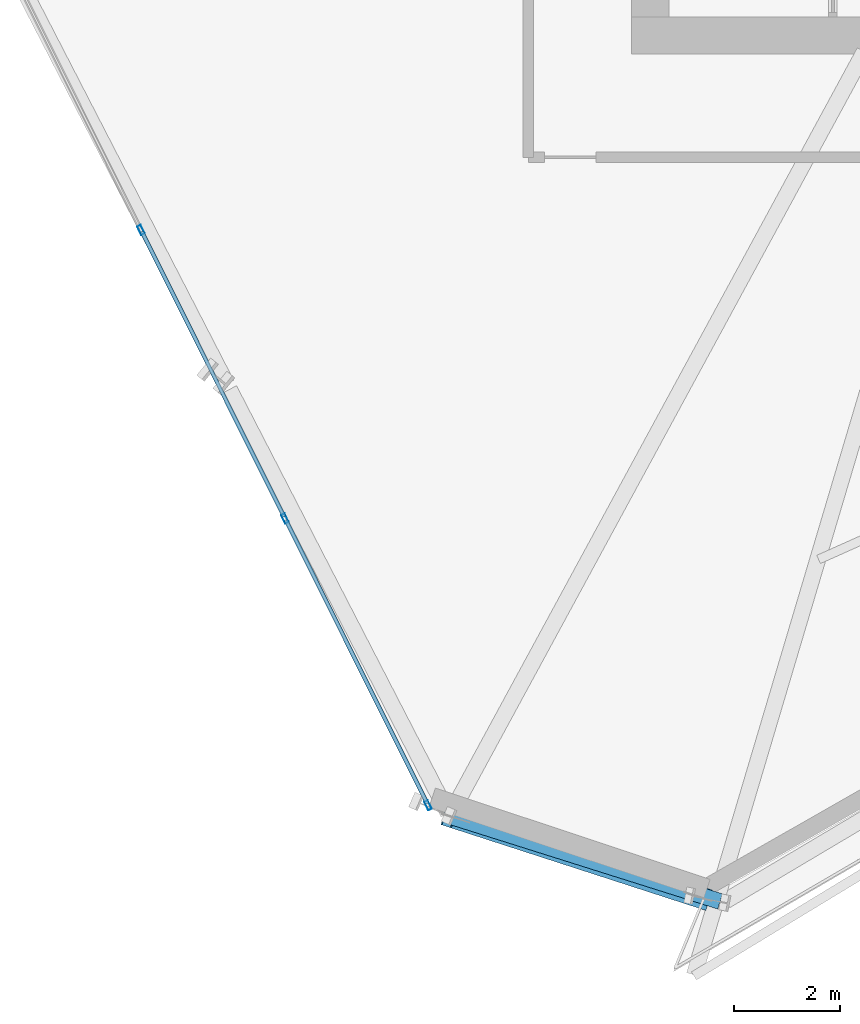
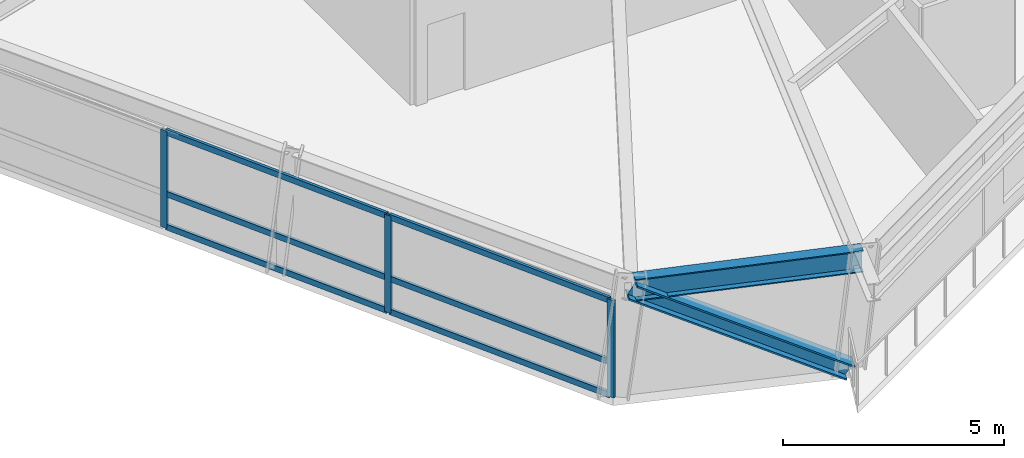
# One storey, part 2 of 20: 10 members, 1 beam, 1 element without a shape of its own.
"""IFC4 building model written with IfcOpenShell, lengths in metres."""

import ifcopenshell
import ifcopenshell.guid

model = None  # the IFC model being written
_history = None  # IfcOwnerHistory: only IFC2X3 demands one
_inside = {}  # id of a spatial element -> (the spatial element, [elements in it])
_under = {}  # id of a project, library or spatial element -> (it, [spatial elements below it])
_declared = {}  # id of a project -> (the project, [libraries it declares])
_typed = {}  # id of a type object -> (the type object, [elements of that type])
_made_of = {}  # id of a material, layer set ... -> (it, [elements and type objects made of it])


def new_model(schema):
    """Start an empty IFC model of exactly this schema.

    Asked for "IFC4X3", IfcOpenShell would pick the latest addendum, in which some entities
    have other attributes; the version numbers below select the first issue.
    IFC2X3 requires an IfcOwnerHistory on every rooted entity: one is made here for all.
    """
    global model, _history
    if schema == "IFC4X3":
        model = ifcopenshell.file(schema_version=(4, 3, 0, 0))
    else:
        model = ifcopenshell.file(schema=schema)
    _inside.clear()
    _under.clear()
    _declared.clear()
    _typed.clear()
    _made_of.clear()
    _history = None
    if model.schema == "IFC2X3":
        org = make("IfcOrganization", Name="unknown")
        user = make(
            "IfcPersonAndOrganization",
            ThePerson=make("IfcPerson", FamilyName="unknown"),
            TheOrganization=org,
        )
        app = make(
            "IfcApplication",
            ApplicationDeveloper=org,
            Version="unknown",
            ApplicationFullName="unknown",
            ApplicationIdentifier="unknown",
        )
        _history = make(
            "IfcOwnerHistory",
            OwningUser=user,
            OwningApplication=app,
            ChangeAction="ADDED",
            CreationDate=0,
        )
    return model


def make(cls, **values):
    """One entity of the class cls with the attributes given. An attribute that is None is left unset."""
    return model.create_entity(
        cls, **{name: value for name, value in values.items() if value is not None}
    )


def rooted(cls, **values):
    """An entity with a GlobalId (a new one), such as an element, a storey or a relation."""
    return make(cls, GlobalId=ifcopenshell.guid.new(), OwnerHistory=_history, **values)


def si_unit(unit_type, name, prefix=None):
    """IfcSIUnit, for example si_unit("LENGTHUNIT", "METRE", prefix="MILLI")."""
    return make("IfcSIUnit", UnitType=unit_type, Prefix=prefix, Name=name)


def assignment(units):
    """IfcUnitAssignment: the units of a project."""
    return None if units is None else make("IfcUnitAssignment", Units=units)


def point(xyz):
    """IfcCartesianPoint."""
    return None if xyz is None else make("IfcCartesianPoint", Coordinates=xyz)


def direction(xyz):
    """IfcDirection."""
    return None if xyz is None else make("IfcDirection", DirectionRatios=xyz)


def frame(location, z_axis=None, x_axis=None):
    """IfcAxis2Placement3D, a coordinate frame: its origin and axes. An axis left out is left unset."""
    return make(
        "IfcAxis2Placement3D",
        Location=point(location),
        Axis=direction(z_axis),
        RefDirection=direction(x_axis),
    )


def frame_2d(location, x_axis=None):
    """IfcAxis2Placement2D, a coordinate frame in the plane: its origin and x axis."""
    return make(
        "IfcAxis2Placement2D", Location=point(location), RefDirection=direction(x_axis)
    )


def origin():
    """The frame at (0, 0, 0) with its axes left unset."""
    return frame((0.0, 0.0, 0.0))


def origin_2d():
    """The frame at (0, 0) in the plane with its x axis left unset."""
    return frame_2d((0.0, 0.0))


def place(relative_to, where):
    """IfcLocalPlacement: puts the frame where relative to a parent placement (None: the world)."""
    return make(
        "IfcLocalPlacement", PlacementRelTo=relative_to, RelativePlacement=where
    )


def context(
    kind, dimensions, precision=None, world=None, true_north=None, identifier=None
):
    """IfcGeometricRepresentationContext, for example the 3D "Model" context."""
    return make(
        "IfcGeometricRepresentationContext",
        ContextIdentifier=identifier,
        ContextType=kind,
        CoordinateSpaceDimension=dimensions,
        Precision=precision,
        WorldCoordinateSystem=world,
        TrueNorth=true_north,
    )


def subcontext(parent, identifier, kind, view, scale=None):
    """IfcGeometricRepresentationSubContext, for example "Body" below "Model"."""
    return make(
        "IfcGeometricRepresentationSubContext",
        ContextIdentifier=identifier,
        ContextType=kind,
        ParentContext=parent,
        TargetScale=scale,
        TargetView=view,
    )


def project(units=None, contexts=None):
    """IfcProject with its units and contexts."""
    return rooted(
        "IfcProject",
        Name="project",
        RepresentationContexts=contexts,
        UnitsInContext=assignment(units),
    )


def spatial(cls, under=None, at=None, **own):
    """A site, building, storey or space (cls), placed at a placement, below another one or the project."""
    s = rooted(cls, ObjectPlacement=at, **own)
    if under is not None:
        _under.setdefault(under.id(), (under, []))[1].append(s)
    return s


def profile(cls, at=None, kind="AREA", **sizes):
    """A parametric profile (cls). Its sizes go by their IFC names, for example OverallWidth=200.0."""
    return make(cls, ProfileType=kind, Position=at, **sizes)


def hollow_rectangle(**sizes):
    """IfcRectangleHollowProfileDef."""
    return profile("IfcRectangleHollowProfileDef", **sizes)


def i_section(**sizes):
    """IfcIShapeProfileDef."""
    return profile("IfcIShapeProfileDef", **sizes)


def extrude(swept, where, along, depth):
    """IfcExtrudedAreaSolid: the profile swept, set in the frame where, extruded along a direction by depth."""
    return make(
        "IfcExtrudedAreaSolid",
        SweptArea=swept,
        Position=where,
        ExtrudedDirection=direction(along),
        Depth=depth,
    )


def shape(context_of_items, identifier, shape_type, items):
    """IfcShapeRepresentation: the items that make up one representation, for example the "Body"."""
    return make(
        "IfcShapeRepresentation",
        ContextOfItems=context_of_items,
        RepresentationIdentifier=identifier,
        RepresentationType=shape_type,
        Items=items,
    )


def source(mapping_origin, context_of_items, identifier, shape_type, items):
    """IfcRepresentationMap: a shape defined once, which mapped items show again and again."""
    return make(
        "IfcRepresentationMap",
        MappingOrigin=mapping_origin,
        MappedRepresentation=shape(context_of_items, identifier, shape_type, items),
    )


def transform(
    local_origin,
    x_axis=None,
    y_axis=None,
    z_axis=None,
    scale=None,
    scale2=None,
    scale3=None,
    uniform=True,
):
    """IfcCartesianTransformationOperator3D, or its non-uniform kind. x_axis, y_axis, z_axis: its Axis1, 2, 3."""
    if uniform:
        return make(
            "IfcCartesianTransformationOperator3D",
            Axis1=direction(x_axis),
            Axis2=direction(y_axis),
            LocalOrigin=point(local_origin),
            Scale=scale,
            Axis3=direction(z_axis),
        )
    return make(
        "IfcCartesianTransformationOperator3DnonUniform",
        Axis1=direction(x_axis),
        Axis2=direction(y_axis),
        LocalOrigin=point(local_origin),
        Scale=scale,
        Axis3=direction(z_axis),
        Scale2=scale2,
        Scale3=scale3,
    )


def mapped(mapping_source, mapping_target):
    """IfcMappedItem: shows the shape of a source again, moved by a transform."""
    return make(
        "IfcMappedItem", MappingSource=mapping_source, MappingTarget=mapping_target
    )


def material(Name=None, Category=None):
    """IfcMaterial."""
    return make("IfcMaterial", Name=Name, Category=Category)


def material_profile(
    of_material, cross_section, Name=None, Category=None, Priority=None
):
    """IfcMaterialProfile: a cross section and its material."""
    return make(
        "IfcMaterialProfile",
        Name=Name,
        Material=of_material,
        Profile=cross_section,
        Priority=Priority,
        Category=Category,
    )


def profile_set(profiles, Name=None, composite=None):
    """IfcMaterialProfileSet."""
    return make(
        "IfcMaterialProfileSet",
        Name=Name,
        MaterialProfiles=profiles,
        CompositeProfile=composite,
    )


def made_of(thing, what):
    """Note that an element or type object is made of a material, layer set ...; save() writes the relation."""
    if what is not None:
        _made_of.setdefault(what.id(), (what, []))[1].append(thing)
    return thing


def type_object(cls, material=None, **own):
    """A type object (cls), such as IfcWallType, which elements share."""
    return made_of(rooted(cls, **own), material)


def element(
    cls,
    number,
    at=None,
    inside=None,
    cuts=None,
    type_object=None,
    material=None,
    context=None,
    identifier="Body",
    shape_type=None,
    held_by="IfcProductDefinitionShape",
    body=None,
    shapes=None,
    **own,
):
    """One element of the class cls, such as IfcWall. Its Tag is "e" and its number.

    at: its placement. inside: the storey or other place that contains it. cuts: it is an
    opening in that element (IfcRelVoidsElement). A single representation is given by context,
    identifier, shape_type and body (its items); several are given by shapes. held_by: the class
    of the entity that holds the representations. save() writes the other relations.
    """
    e = rooted(cls, Tag="e%d" % number, ObjectPlacement=at, **own)
    if body is not None:
        shapes = [shape(context, identifier, shape_type, body)]
    if shapes is not None:
        e.Representation = make(held_by, Representations=shapes)
    if inside is not None:
        _inside.setdefault(inside.id(), (inside, []))[1].append(e)
    if cuts is not None:
        rooted(
            "IfcRelVoidsElement", RelatingBuildingElement=cuts, RelatedOpeningElement=e
        )
    if type_object is not None:
        _typed.setdefault(type_object.id(), (type_object, []))[1].append(e)
    return made_of(e, material)


def aggregate(whole, parts):
    """IfcRelAggregates: a whole, such as a stair, and the parts it consists of."""
    return rooted("IfcRelAggregates", RelatingObject=whole, RelatedObjects=parts)


def save(model, path):
    """Write the relations noted so far, then the file.

    IfcRelAggregates (storeys below a building ...), IfcRelContainedInSpatialStructure (elements
    in a storey), IfcRelDefinesByType, IfcRelAssociatesMaterial and IfcRelDeclares: one each for
    every whole, place, type object, material and project.
    """
    for whole, parts in _under.values():
        aggregate(whole, parts)
    for where, things in _inside.values():
        rooted(
            "IfcRelContainedInSpatialStructure",
            RelatedElements=things,
            RelatingStructure=where,
        )
    for kind, things in _typed.values():
        rooted("IfcRelDefinesByType", RelatedObjects=things, RelatingType=kind)
    for what, things in _made_of.values():
        rooted("IfcRelAssociatesMaterial", RelatedObjects=things, RelatingMaterial=what)
    for by, libraries in _declared.values():
        rooted("IfcRelDeclares", RelatingContext=by, RelatedDefinitions=libraries)
    model.write(path)


model = new_model("IFC4")

# Units and contexts
model_context = context("Model", 3, precision=1e-05, world=origin(), true_north=direction((0.0, 1.0)))
body_context = subcontext(model_context, "Body", "Model", "MODEL_VIEW")
ifc_project = project(units=[si_unit("LENGTHUNIT", "METRE"), si_unit("AREAUNIT", "SQUARE_METRE"), si_unit("VOLUMEUNIT", "CUBIC_METRE"), si_unit("PLANEANGLEUNIT", "RADIAN"), si_unit("MASSUNIT", "GRAM", prefix="KILO")], contexts=[model_context])

# Site, building, storey
site_placement = place(None, origin())
site = spatial("IfcSite", under=ifc_project, at=site_placement, CompositionType="ELEMENT")
building_placement = place(site_placement, origin())
building = spatial("IfcBuilding", under=site, at=building_placement, Name="Olszyna Solenne Hotel", CompositionType="ELEMENT")
storey_placement = place(building_placement, frame((0.0, 0.0, 98.60009765625)))
storey = spatial("IfcBuildingStorey", under=building, at=storey_placement, Name="L25", CompositionType="ELEMENT", Elevation=98.60009765625)

# Beam
ifc_material_1 = material(Name="Steel S355J2", Category="steel")
ifc_material_profile_1 = material_profile(ifc_material_1, i_section(OverallWidth=0.300048828125, OverallDepth=0.60009765625, WebThickness=0.015380859375, FlangeThickness=0.030029296875, at=origin_2d()), Name="HEB 600", Category="load-bearing")
ifc_profile_set_1 = profile_set([ifc_material_profile_1], Name="Steel S355J2")
beam_type = type_object("IfcBeamType", Name="BM-S2", PredefinedType="BEAM", material=ifc_profile_set_1)
shared_shape_1 = source(origin(), body_context, "Body", "SweptSolid", [
    extrude(i_section(OverallWidth=0.300048828125, OverallDepth=0.60009765625, WebThickness=0.015380859375, FlangeThickness=0.030029296875, at=origin_2d()), origin(), (0.0, 0.0, 1.0), 5.296142578125),
])
beam_placement = place(storey_placement, frame((26.01806640625, 4.395751953125, 3.0), z_axis=(0.953706594082, -0.30073864468, 0.0), x_axis=(0.30073864468, 0.953706594082, 0.0)))
element("IfcBeam", 1, at=beam_placement, inside=storey, type_object=beam_type, Name="Perimeter spandrel beam BM-S2 B-L25-0758", PredefinedType="BEAM", context=body_context, shape_type="MappedRepresentation", body=[
    mapped(shared_shape_1, transform((0.0, 0.0, 0.0), x_axis=(1.0, 0.0, 0.0), y_axis=(0.0, 1.0, 0.0), z_axis=(0.0, 0.0, 1.0), scale=1.0)),
])

# Member
ifc_material_2 = material(Name="Steel S460M", Category="steel")
ifc_material_profile_2 = material_profile(ifc_material_2, i_section(OverallWidth=0.406005859375, OverallDepth=0.416015625, WebThickness=0.026611328125, FlangeThickness=0.04150390625, at=origin_2d()), Name="HD 400x382", Category="load-bearing")
ifc_profile_set_2 = profile_set([ifc_material_profile_2], Name="Steel S460M")
member_type_1 = type_object("IfcMemberType", Name="BR-T2", PredefinedType="BRACE", material=ifc_profile_set_2)
shared_shape_2 = source(origin(), body_context, "Body", "SweptSolid", [
    extrude(i_section(OverallWidth=0.406005859375, OverallDepth=0.416015625, WebThickness=0.026611328125, FlangeThickness=0.04150390625, at=origin_2d()), origin(), (0.0, 0.0, 1.0), 5.850830078125),
])
member_1_placement = place(storey_placement, frame((30.76171875, 2.858154296875, 0.010009765625), z_axis=(-0.820582554442, 0.265891280798, 0.505911156372), x_axis=(-0.308249156446, -0.951305659371, 0.0)))
element("IfcMember", 2, at=member_1_placement, inside=storey, type_object=member_type_1, Name="Perimeter braced-tube diagonal BR-T2 BR-L25-3", PredefinedType="BRACE", context=body_context, shape_type="MappedRepresentation", body=[
    mapped(shared_shape_2, transform((0.0, 0.0, 0.0), x_axis=(1.0, 0.0, 0.0), y_axis=(0.0, 1.0, 0.0), z_axis=(0.0, 0.0, 1.0), scale=1.0)),
])

# Curtain wall, members
ifc_material_3 = material(Name="Anodised bronze aluminium", Category="aluminium")
curtain_wall_type = type_object("IfcCurtainWallType", Name="CW-SYS-3", PredefinedType="NOTDEFINED", material=ifc_material_3)
curtain_wall_placement = place(storey_placement, origin())
curtain_wall = element("IfcCurtainWall", 3, at=curtain_wall_placement, inside=storey, type_object=curtain_wall_type, Name="Unitised curtain wall CW-SYS-3 CW-L25-01", PredefinedType="NOTDEFINED")
ifc_material_profile_3 = material_profile(ifc_material_3, hollow_rectangle(XDim=0.074951171875, YDim=0.179931640625, WallThickness=0.00439453125, at=origin_2d()), Name="MULL 180x75x4.5", Category="load-bearing")
ifc_profile_set_3 = profile_set([ifc_material_profile_3], Name="Anodised bronze aluminium")
member_type_2 = type_object("IfcMemberType", Name="CW-M2", PredefinedType="MULLION", material=ifc_profile_set_3)
shared_shape_3 = source(origin(), body_context, "Body", "SweptSolid", [
    extrude(hollow_rectangle(XDim=0.074951171875, YDim=0.179931640625, WallThickness=0.00439453125, at=origin_2d()), origin(), (0.0, 0.0, 1.0), 2.69189453125),
])
member_2_placement = place(storey_placement, frame((20.137939453125, 15.478759765625, 0.0), z_axis=(0.0, 0.0, 1.0), x_axis=(0.894800294413, 0.446466609186, 0.0)))
member_2 = element("IfcMember", 4, at=member_2_placement, type_object=member_type_2, Name="Curtain-wall mullion CW-M2 CM-L25-01-02", PredefinedType="MULLION", context=body_context, shape_type="MappedRepresentation", body=[
    mapped(shared_shape_3, transform((0.0, 0.0, 0.0), x_axis=(1.0, 0.0, 0.0), y_axis=(0.0, 1.0, 0.0), z_axis=(0.0, 0.0, 1.0), scale=1.0)),
])
member_3_placement = place(storey_placement, frame((22.85595703125, 10.03125, 0.0), z_axis=(0.0, 0.0, 1.0), x_axis=(0.894800294413, 0.446466609186, 0.0)))
member_3 = element("IfcMember", 5, at=member_3_placement, type_object=member_type_2, Name="Curtain-wall mullion CW-M2 CM-L25-01-03", PredefinedType="MULLION", context=body_context, shape_type="MappedRepresentation", body=[
    mapped(shared_shape_3, transform((0.0, 0.0, 0.0), x_axis=(1.0, 0.0, 0.0), y_axis=(0.0, 1.0, 0.0), z_axis=(0.0, 0.0, 1.0), scale=1.0)),
])
member_4_placement = place(storey_placement, frame((25.557373046875, 4.617431640625, 0.0), z_axis=(0.0, 0.0, 1.0), x_axis=(0.894800294413, 0.446466609186, 0.0)))
member_4 = element("IfcMember", 6, at=member_4_placement, type_object=member_type_2, Name="Curtain-wall mullion CW-M2 CM-L25-01-04", PredefinedType="MULLION", context=body_context, shape_type="MappedRepresentation", body=[
    mapped(shared_shape_3, transform((0.0, 0.0, 0.0), x_axis=(1.0, 0.0, 0.0), y_axis=(0.0, 1.0, 0.0), z_axis=(0.0, 0.0, 1.0), scale=1.0)),
])
ifc_material_profile_4 = material_profile(ifc_material_3, hollow_rectangle(XDim=0.074951171875, YDim=0.159912109375, WallThickness=0.00390625, at=origin_2d()), Name="TRAN 160x75x4", Category="load-bearing")
ifc_profile_set_4 = profile_set([ifc_material_profile_4], Name="Anodised bronze aluminium")
member_type_3 = type_object("IfcMemberType", Name="CW-T1", PredefinedType="USERDEFINED", material=ifc_profile_set_4)
shared_shape_4 = source(origin(), body_context, "Body", "SweptSolid", [
    extrude(hollow_rectangle(XDim=0.074951171875, YDim=0.159912109375, WallThickness=0.00390625, at=origin_2d()), origin(), (0.0, 0.0, 1.0), 6.012939453125),
])
member_5_placement = place(storey_placement, frame((20.154541015625, 15.4453125, 0.037353515625), z_axis=(0.446466351384, -0.894800423045, 0.0), x_axis=(0.894800423045, 0.446466351384, 0.0)))
member_5 = element("IfcMember", 7, at=member_5_placement, type_object=member_type_3, Name="Curtain-wall transom CW-T1 CT-L25-01-04", ObjectType="TRANSOM", PredefinedType="USERDEFINED", context=body_context, shape_type="MappedRepresentation", body=[
    mapped(shared_shape_4, transform((0.0, 0.0, 0.0), x_axis=(1.0, 0.0, 0.0), y_axis=(0.0, 1.0, 0.0), z_axis=(0.0, 0.0, 1.0), scale=1.0)),
])
member_6_placement = place(storey_placement, frame((20.154541015625, 15.4453125, 0.949951171875), z_axis=(0.446466351384, -0.894800423045, 0.0), x_axis=(0.894800423045, 0.446466351384, 0.0)))
member_6 = element("IfcMember", 8, at=member_6_placement, type_object=member_type_3, Name="Curtain-wall transom CW-T1 CT-L25-01-05", ObjectType="TRANSOM", PredefinedType="USERDEFINED", context=body_context, shape_type="MappedRepresentation", body=[
    mapped(shared_shape_4, transform((0.0, 0.0, 0.0), x_axis=(1.0, 0.0, 0.0), y_axis=(0.0, 1.0, 0.0), z_axis=(0.0, 0.0, 1.0), scale=1.0)),
])
member_7_placement = place(storey_placement, frame((20.154541015625, 15.4453125, 2.654296875), z_axis=(0.446466351384, -0.894800423045, 0.0), x_axis=(0.894800423045, 0.446466351384, 0.0)))
member_7 = element("IfcMember", 9, at=member_7_placement, type_object=member_type_3, Name="Curtain-wall transom CW-T1 CT-L25-01-06", ObjectType="TRANSOM", PredefinedType="USERDEFINED", context=body_context, shape_type="MappedRepresentation", body=[
    mapped(shared_shape_4, transform((0.0, 0.0, 0.0), x_axis=(1.0, 0.0, 0.0), y_axis=(0.0, 1.0, 0.0), z_axis=(0.0, 0.0, 1.0), scale=1.0)),
])
shared_shape_5 = source(origin(), body_context, "Body", "SweptSolid", [
    extrude(hollow_rectangle(XDim=0.074951171875, YDim=0.159912109375, WallThickness=0.00390625, at=origin_2d()), origin(), (0.0, 0.0, 1.0), 5.9755859375),
])
member_8_placement = place(storey_placement, frame((22.87255859375, 9.997802734375, 0.037353515625), z_axis=(0.4464780303, -0.894794595681, 0.0), x_axis=(0.894794595681, 0.4464780303, 0.0)))
member_8 = element("IfcMember", 10, at=member_8_placement, type_object=member_type_3, Name="Curtain-wall transom CW-T1 CT-L25-01-07", ObjectType="TRANSOM", PredefinedType="USERDEFINED", context=body_context, shape_type="MappedRepresentation", body=[
    mapped(shared_shape_5, transform((0.0, 0.0, 0.0), x_axis=(1.0, 0.0, 0.0), y_axis=(0.0, 1.0, 0.0), z_axis=(0.0, 0.0, 1.0), scale=1.0)),
])
member_9_placement = place(storey_placement, frame((22.87255859375, 9.997802734375, 0.949951171875), z_axis=(0.4464780303, -0.894794595681, 0.0), x_axis=(0.894794595681, 0.4464780303, 0.0)))
member_9 = element("IfcMember", 11, at=member_9_placement, type_object=member_type_3, Name="Curtain-wall transom CW-T1 CT-L25-01-08", ObjectType="TRANSOM", PredefinedType="USERDEFINED", context=body_context, shape_type="MappedRepresentation", body=[
    mapped(shared_shape_5, transform((0.0, 0.0, 0.0), x_axis=(1.0, 0.0, 0.0), y_axis=(0.0, 1.0, 0.0), z_axis=(0.0, 0.0, 1.0), scale=1.0)),
])
member_10_placement = place(storey_placement, frame((22.87255859375, 9.997802734375, 2.654296875), z_axis=(0.4464780303, -0.894794595681, 0.0), x_axis=(0.894794595681, 0.4464780303, 0.0)))
member_10 = element("IfcMember", 12, at=member_10_placement, type_object=member_type_3, Name="Curtain-wall transom CW-T1 CT-L25-01-09", ObjectType="TRANSOM", PredefinedType="USERDEFINED", context=body_context, shape_type="MappedRepresentation", body=[
    mapped(shared_shape_5, transform((0.0, 0.0, 0.0), x_axis=(1.0, 0.0, 0.0), y_axis=(0.0, 1.0, 0.0), z_axis=(0.0, 0.0, 1.0), scale=1.0)),
])
aggregate(curtain_wall, [member_2, member_3, member_4, member_5, member_6, member_7, member_8, member_9, member_10])

save(model, "model.ifc")
